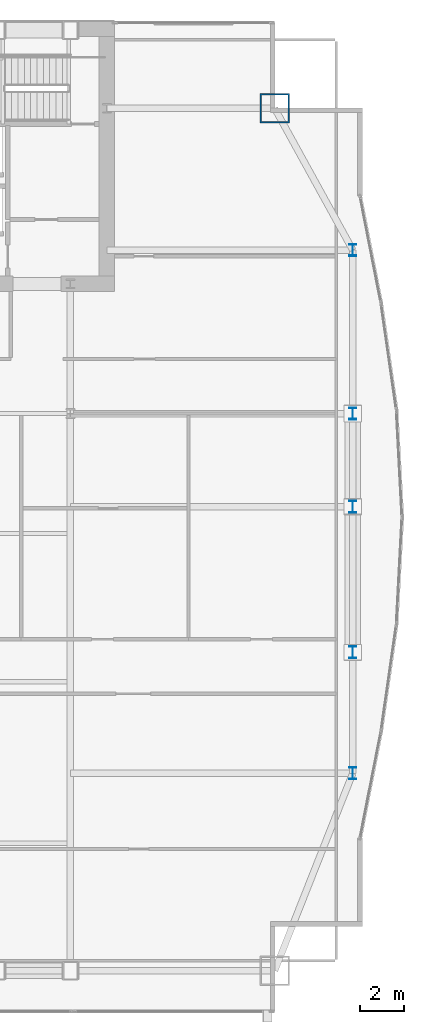
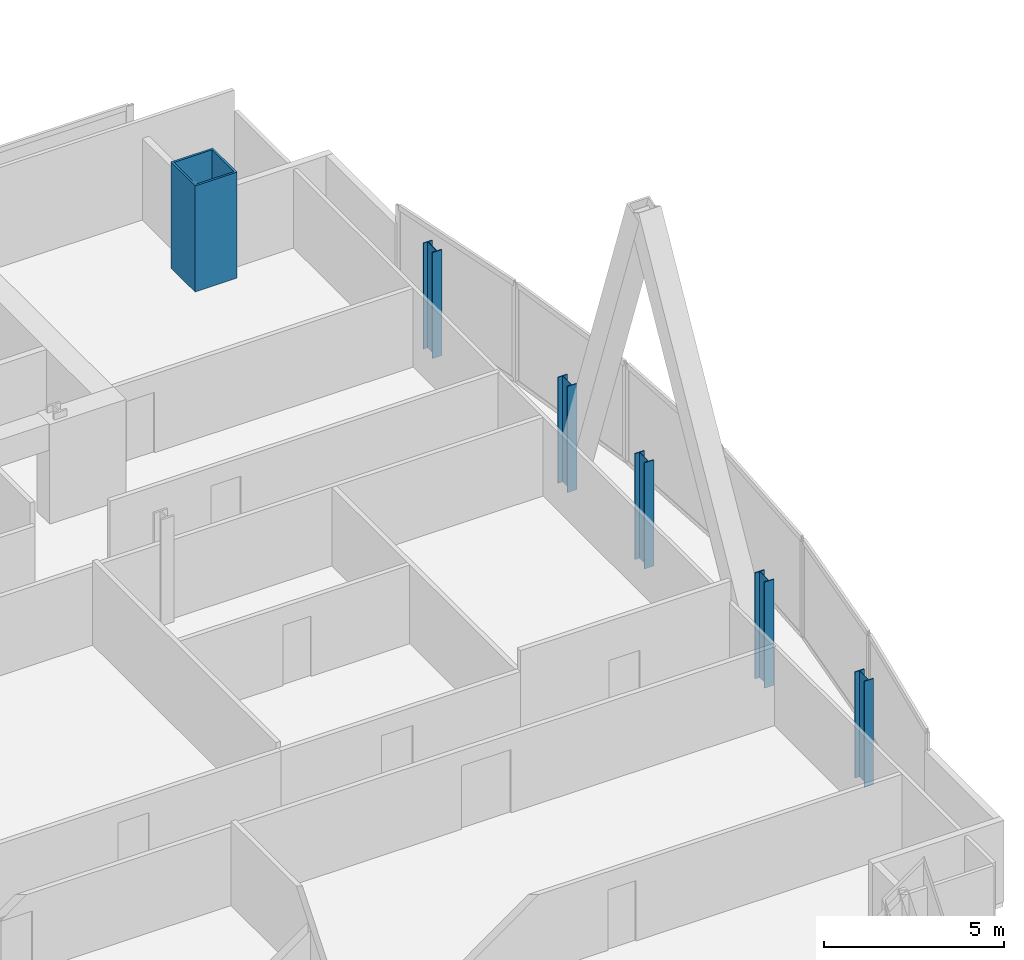
# One storey, part 4 of 31: 6 columns.
"""IFC4 building model written with IfcOpenShell, lengths in metres."""

from ifc_helpers import new_model, si_unit, direction, frame, origin, origin_2d, place, context, subcontext, project, spatial, hollow_rectangle, i_section, extrude, material, material_profile, profile_set, type_object, element, save


model = new_model("IFC4")

# Units and contexts
model_context = context("Model", 3, precision=1e-05, world=origin(), true_north=direction((0.0, 1.0)))
body_context = subcontext(model_context, "Body", "Model", "MODEL_VIEW")
ifc_project = project(units=[si_unit("LENGTHUNIT", "METRE"), si_unit("AREAUNIT", "SQUARE_METRE"), si_unit("VOLUMEUNIT", "CUBIC_METRE"), si_unit("PLANEANGLEUNIT", "RADIAN"), si_unit("MASSUNIT", "GRAM", prefix="KILO")], contexts=[model_context])

# Site, building, storey
site_placement = place(None, origin())
site = spatial("IfcSite", under=ifc_project, at=site_placement, CompositionType="ELEMENT")
building_placement = place(site_placement, origin())
building = spatial("IfcBuilding", under=site, at=building_placement, Name="Khoronbel Lancet Exchange", CompositionType="ELEMENT")
storey_placement = place(building_placement, frame((0.0, 0.0, 168.60009765625)))
storey = spatial("IfcBuildingStorey", under=building, at=storey_placement, Name="L42", CompositionType="ELEMENT", Elevation=168.60009765625)

# Columns
ifc_material_1 = material(Name="Steel S355", Category="steel")
ifc_material_profile_1 = material_profile(ifc_material_1, i_section(OverallWidth=0.300048828125, OverallDepth=0.550048828125, WebThickness=0.014892578125, FlangeThickness=0.029052734375, at=origin_2d()), Name="HEB 550")
ifc_profile_set_1 = profile_set([ifc_material_profile_1], Name="Steel S355")
column_type_1 = type_object("IfcColumnType", Name="COL-LC1", PredefinedType="COLUMN", material=ifc_profile_set_1)
for number, where, z_axis, x_axis, name in (
    (1, (67.6298828125, 19.199951171875, 0.0), (0.0, 0.0, 1.0), (1.0, 0.0, 0.0), "Structural column EC-1 L42"),
    (2, (67.6298828125, 24.75, 0.0), (0.0, 0.0, 1.0), (1.0, 0.0, 0.0), "Structural column EC-2 L42"),
    (3, (67.6298828125, 31.425048828125, 0.0), (0.0, 0.0, 1.0), (1.0, 0.0, 0.0), "Structural column EC-M L42"),
    (4, (67.6298828125, 35.699951171875, 0.0), (0.0, 0.0, 1.0), (1.0, 0.0, 0.0), "Structural column EC-3 L42"),
    (5, (67.6298828125, 43.199951171875, 0.0), (0.0, 0.0, 1.0), (1.0, 0.0, 0.0), "Structural column EC-4 L42"),
):
    element("IfcColumn", number, at=place(storey_placement, frame(where, z_axis=z_axis, x_axis=x_axis)), inside=storey, type_object=column_type_1, Name=name, PredefinedType="COLUMN", context=body_context, shape_type="SweptSolid", body=[
        extrude(i_section(OverallWidth=0.300048828125, OverallDepth=0.550048828125, WebThickness=0.014892578125, FlangeThickness=0.029052734375, at=origin_2d()), origin(), (0.0, 0.0, 1.0), 3.599853515625),
    ])
ifc_material_2 = material(Name="Steel S460", Category="steel")
ifc_material_profile_2 = material_profile(ifc_material_2, hollow_rectangle(XDim=1.35009765625, YDim=1.35009765625, WallThickness=0.06494140625, at=origin_2d()), Name="BOX 1350x1350x65")
ifc_profile_set_2 = profile_set([ifc_material_profile_2], Name="Steel S460")
column_type_2 = type_object("IfcColumnType", Name="COL-MC4", PredefinedType="COLUMN", material=ifc_profile_set_2)
column_placement = place(storey_placement, frame((64.050048828125, 49.699951171875, 0.0), z_axis=(0.0, 0.0, 1.0), x_axis=(1.0, 0.0, 0.0)))
element("IfcColumn", 6, at=column_placement, inside=storey, type_object=column_type_2, Name="Structural column MC-NE L42", PredefinedType="COLUMN", context=body_context, shape_type="SweptSolid", body=[
    extrude(hollow_rectangle(XDim=1.35009765625, YDim=1.35009765625, WallThickness=0.06494140625, at=origin_2d()), origin(), (0.0, 0.0, 1.0), 3.599853515625),
])

save(model, "model.ifc")
